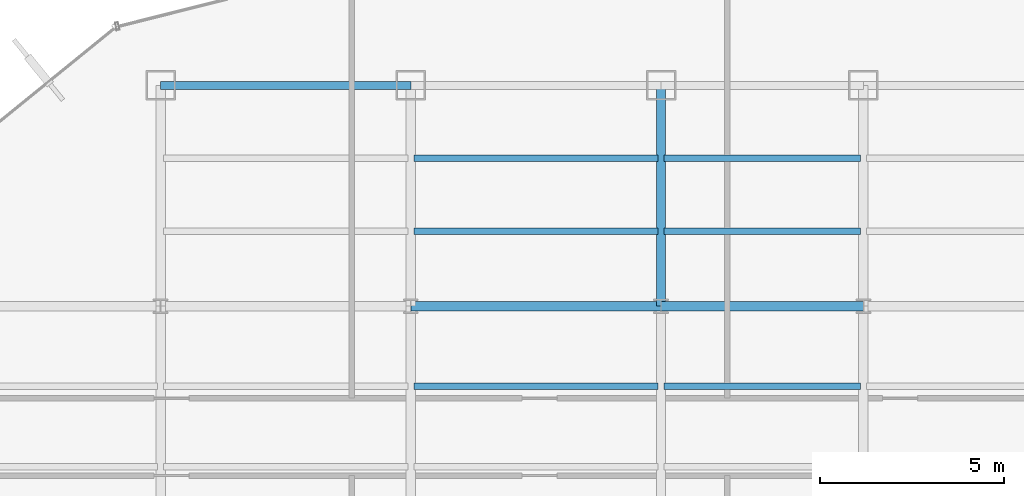
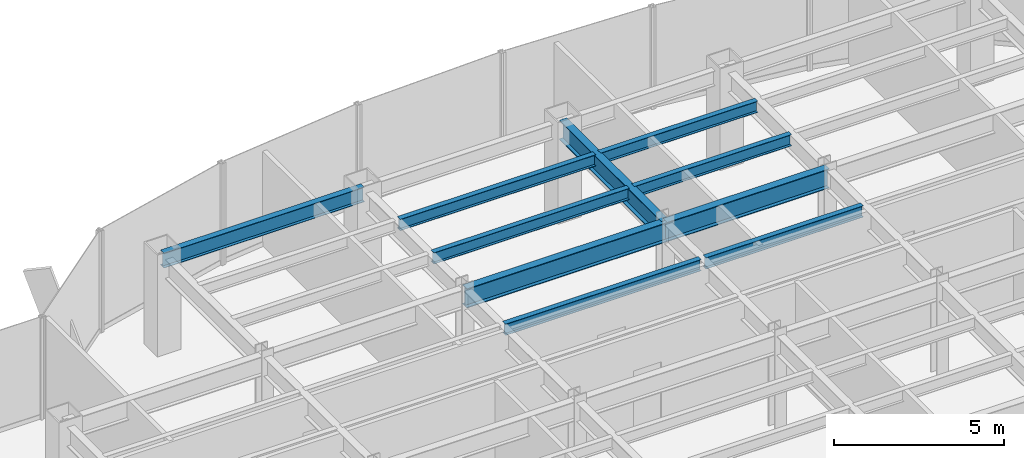
# One storey, part 15 of 26: 10 beams.
"""IFC4 building model written with IfcOpenShell, lengths in metres."""

from ifc_helpers import new_model, si_unit, derived_unit, direction, frame, origin, origin_2d, place, context, subcontext, project, spatial, i_section, extrude, source, transform, mapped, material, material_profile, profile_set, type_object, element, save


model = new_model("IFC4")

# Units and contexts
model_context = context("Model", 3, precision=1e-05, world=origin(), true_north=direction((0.0, 1.0)))
body_context = subcontext(model_context, "Body", "Model", "MODEL_VIEW")
ifc_project = project(units=[si_unit("LENGTHUNIT", "METRE"), si_unit("AREAUNIT", "SQUARE_METRE"), si_unit("VOLUMEUNIT", "CUBIC_METRE"), si_unit("PLANEANGLEUNIT", "RADIAN"), si_unit("MASSUNIT", "GRAM", prefix="KILO"), derived_unit("THERMALTRANSMITTANCEUNIT", [(si_unit("POWERUNIT", "WATT"), 1), (si_unit("LENGTHUNIT", "METRE"), -2), (si_unit("THERMODYNAMICTEMPERATUREUNIT", "KELVIN"), -1)])], contexts=[model_context])

# Site, building, storey
site_placement = place(None, origin())
site = spatial("IfcSite", under=ifc_project, at=site_placement, CompositionType="ELEMENT")
building_placement = place(site_placement, origin())
building = spatial("IfcBuilding", under=site, at=building_placement, Name="Skarnbrae Concourse Arena and Tower", CompositionType="ELEMENT")
storey_placement = place(building_placement, frame((0.0, 0.0, 103.25)))
storey = spatial("IfcBuildingStorey", under=building, at=storey_placement, Name="L25", CompositionType="ELEMENT", Elevation=103.25)

# Beams
ifc_material = material(Name="Steel CSA G40.21 350W", Category="steel")
ifc_material_profile_1 = material_profile(ifc_material, i_section(OverallWidth=0.256103515625, OverallDepth=0.693115234375, WebThickness=0.014404296875, FlangeThickness=0.023681640625, at=origin_2d()), Name="W690X170")
ifc_profile_set_1 = profile_set([ifc_material_profile_1], Name="Steel CSA G40.21 350W")
beam_type_1 = type_object("IfcBeamType", Name="BM-GIRD-W690X170", PredefinedType="BEAM", material=ifc_profile_set_1)
shared_shape_1 = source(origin(), body_context, "Body", "SweptSolid", [
    extrude(i_section(OverallWidth=0.256103515625, OverallDepth=0.693115234375, WebThickness=0.014404296875, FlangeThickness=0.023681640625, at=origin_2d()), origin(), (0.0, 0.0, 1.0), 6.800048828125),
])
beam_1_placement = place(storey_placement, frame((21.199951171875, 34.39990234375, 3.053466796875), z_axis=(1.0, 0.0, 0.0), x_axis=(0.0, 1.0, 0.0)))
element("IfcBeam", 1, at=beam_1_placement, inside=storey, type_object=beam_type_1, Name="L25 Primary E-W girder Y34.4-3", PredefinedType="BEAM", context=body_context, shape_type="MappedRepresentation", body=[
    mapped(shared_shape_1, transform((0.0, 0.0, 0.0))),
])
shared_shape_2 = source(origin(), body_context, "Body", "SweptSolid", [
    extrude(i_section(OverallWidth=0.256103515625, OverallDepth=0.693115234375, WebThickness=0.014404296875, FlangeThickness=0.023681640625, at=origin_2d()), origin(), (0.0, 0.0, 1.0), 5.5),
])
beam_2_placement = place(storey_placement, frame((28.0, 34.39990234375, 3.053466796875), z_axis=(1.0, 0.0, 0.0), x_axis=(0.0, 1.0, 0.0)))
element("IfcBeam", 2, at=beam_2_placement, inside=storey, type_object=beam_type_1, Name="L25 Primary E-W girder Y34.4-4", PredefinedType="BEAM", context=body_context, shape_type="MappedRepresentation", body=[
    mapped(shared_shape_2, transform((0.0, 0.0, 0.0))),
])
ifc_material_profile_2 = material_profile(ifc_material, i_section(OverallWidth=0.208984375, OverallDepth=0.532958984375, WebThickness=0.01025390625, FlangeThickness=0.015625, at=origin_2d()), Name="W530X92")
ifc_profile_set_2 = profile_set([ifc_material_profile_2], Name="Steel CSA G40.21 350W")
beam_type_2 = type_object("IfcBeamType", Name="BM-SPAN-W530X92", PredefinedType="SPANDREL", material=ifc_profile_set_2)
shared_shape_3 = source(origin(), body_context, "Body", "SweptSolid", [
    extrude(i_section(OverallWidth=0.208984375, OverallDepth=0.532958984375, WebThickness=0.01025390625, FlangeThickness=0.015625, at=origin_2d()), origin(), (0.0, 0.0, 1.0), 6.800048828125),
])
beam_3_placement = place(storey_placement, frame((14.39990234375, 40.39990234375, 3.133544921875), z_axis=(1.0, 0.0, 0.0), x_axis=(0.0, 1.0, 0.0)))
element("IfcBeam", 3, at=beam_3_placement, inside=storey, type_object=beam_type_2, Name="L25 Perimeter spandrel Y40.4-1", PredefinedType="SPANDREL", context=body_context, shape_type="MappedRepresentation", body=[
    mapped(shared_shape_3, transform((0.0, 0.0, 0.0))),
])
shared_shape_4 = source(origin(), body_context, "Body", "SweptSolid", [
    extrude(i_section(OverallWidth=0.256103515625, OverallDepth=0.693115234375, WebThickness=0.014404296875, FlangeThickness=0.023681640625, at=origin_2d()), origin(), (0.0, 0.0, 1.0), 6.0),
])
beam_4_placement = place(storey_placement, frame((28.0, 34.39990234375, 3.053466796875), z_axis=(0.0, 1.0, 0.0), x_axis=(-1.0, 0.0, 0.0)))
element("IfcBeam", 4, at=beam_4_placement, inside=storey, type_object=beam_type_1, Name="L25 Primary N-S girder X28.0-4", PredefinedType="BEAM", context=body_context, shape_type="MappedRepresentation", body=[
    mapped(shared_shape_4, transform((0.0, 0.0, 0.0))),
])
ifc_material_profile_3 = material_profile(ifc_material, i_section(OverallWidth=0.177978515625, OverallDepth=0.406982421875, WebThickness=0.0078125, FlangeThickness=0.0126953125, at=origin_2d()), Name="W410X60")
ifc_profile_set_3 = profile_set([ifc_material_profile_3], Name="Steel CSA G40.21 350W")
beam_type_3 = type_object("IfcBeamType", Name="BM-JOIST-W410X60", PredefinedType="JOIST", material=ifc_profile_set_3)
shared_shape_5 = source(origin(), body_context, "Body", "SweptSolid", [
    extrude(i_section(OverallWidth=0.177978515625, OverallDepth=0.406982421875, WebThickness=0.0078125, FlangeThickness=0.0126953125, at=origin_2d()), origin(), (0.0, 0.0, 1.0), 6.639892578125),
])
for number, where, z_axis, x_axis, name in (
    (5, (21.280029296875, 32.221923828125, 3.196533203125), (1.0, 0.0, 0.0), (0.0, 1.0, 0.0), "L25 Secondary floor joist 3.2.3"),
    (6, (21.280029296875, 36.43994140625, 3.196533203125), (1.0, 0.0, 0.0), (0.0, 1.0, 0.0), "L25 Secondary floor joist 4.1.2"),
    (7, (21.280029296875, 38.419921875, 3.196533203125), (1.0, 0.0, 0.0), (0.0, 1.0, 0.0), "L25 Secondary floor joist 4.2.2"),
):
    element("IfcBeam", number, at=place(storey_placement, frame(where, z_axis=z_axis, x_axis=x_axis)), inside=storey, type_object=beam_type_3, Name=name, PredefinedType="JOIST", context=body_context, shape_type="MappedRepresentation", body=[
        mapped(shared_shape_5, transform((0.0, 0.0, 0.0))),
    ])
shared_shape_6 = source(origin(), body_context, "Body", "SweptSolid", [
    extrude(i_section(OverallWidth=0.177978515625, OverallDepth=0.406982421875, WebThickness=0.0078125, FlangeThickness=0.0126953125, at=origin_2d()), origin(), (0.0, 0.0, 1.0), 5.33984375),
])
for number, where, z_axis, x_axis, name in (
    (8, (28.080078125, 32.221923828125, 3.196533203125), (1.0, 0.0, 0.0), (0.0, 1.0, 0.0), "L25 Secondary floor joist 3.2.4"),
    (9, (28.080078125, 36.43994140625, 3.196533203125), (1.0, 0.0, 0.0), (0.0, 1.0, 0.0), "L25 Secondary floor joist 4.1.3"),
    (10, (28.080078125, 38.419921875, 3.196533203125), (1.0, 0.0, 0.0), (0.0, 1.0, 0.0), "L25 Secondary floor joist 4.2.3"),
):
    element("IfcBeam", number, at=place(storey_placement, frame(where, z_axis=z_axis, x_axis=x_axis)), inside=storey, type_object=beam_type_3, Name=name, PredefinedType="JOIST", context=body_context, shape_type="MappedRepresentation", body=[
        mapped(shared_shape_6, transform((0.0, 0.0, 0.0))),
    ])

save(model, "model.ifc")
